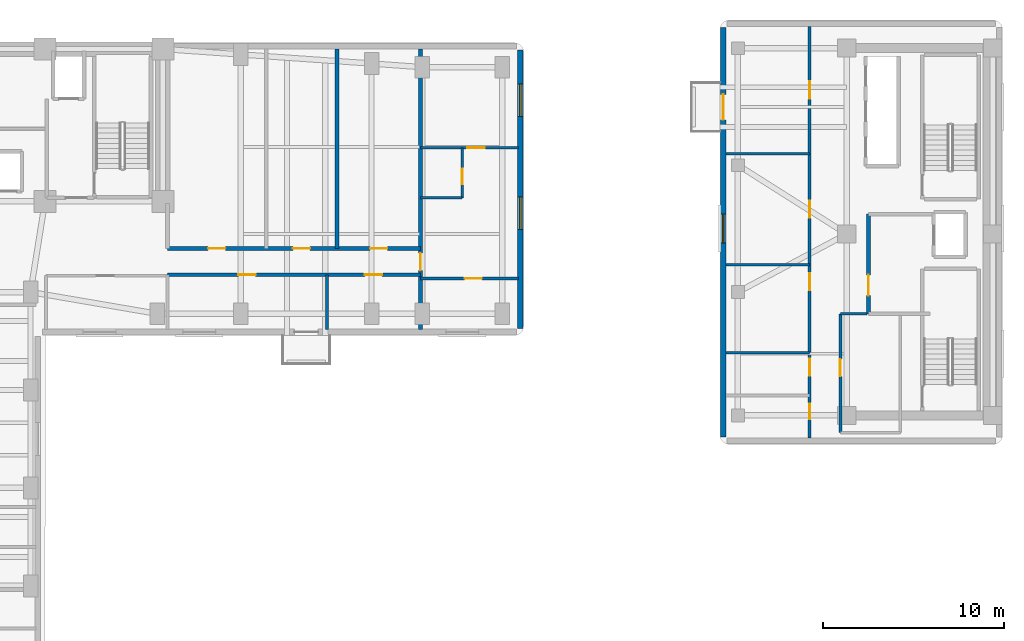
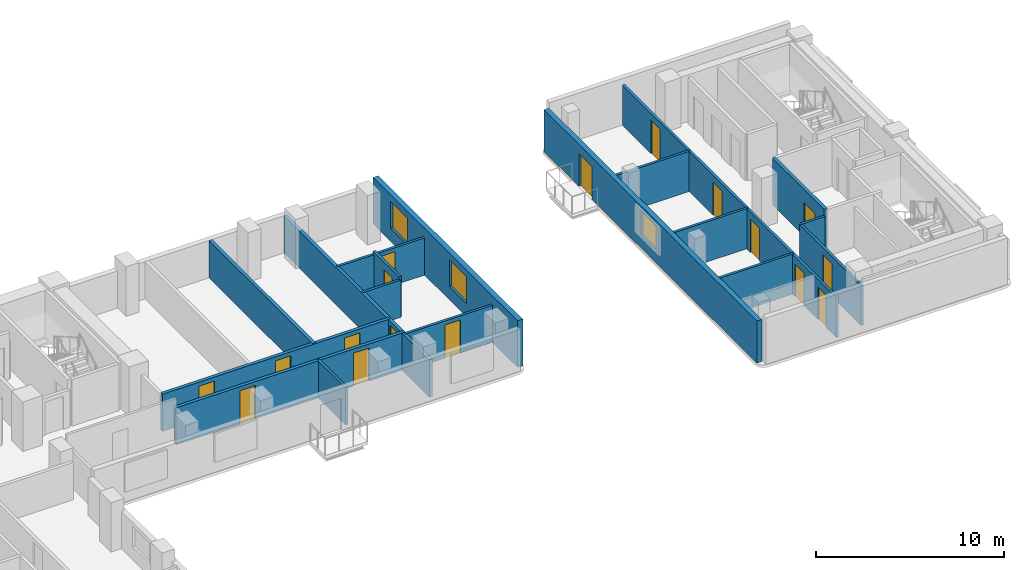
# One storey, part 5 of 9: 18 walls, 17 doors, 3 windows, 20 openings.
"""IFC4 building model written with IfcOpenShell, lengths in metres."""

import ifcopenshell
import ifcopenshell.guid

model = None  # the IFC model being written
_history = None  # IfcOwnerHistory: only IFC2X3 demands one
_inside = {}  # id of a spatial element -> (the spatial element, [elements in it])
_under = {}  # id of a project, library or spatial element -> (it, [spatial elements below it])
_declared = {}  # id of a project -> (the project, [libraries it declares])
_typed = {}  # id of a type object -> (the type object, [elements of that type])
_made_of = {}  # id of a material, layer set ... -> (it, [elements and type objects made of it])


def new_model(schema):
    """Start an empty IFC model of exactly this schema.

    Asked for "IFC4X3", IfcOpenShell would pick the latest addendum, in which some entities
    have other attributes; the version numbers below select the first issue.
    IFC2X3 requires an IfcOwnerHistory on every rooted entity: one is made here for all.
    """
    global model, _history
    if schema == "IFC4X3":
        model = ifcopenshell.file(schema_version=(4, 3, 0, 0))
    else:
        model = ifcopenshell.file(schema=schema)
    _inside.clear()
    _under.clear()
    _declared.clear()
    _typed.clear()
    _made_of.clear()
    _history = None
    if model.schema == "IFC2X3":
        org = make("IfcOrganization", Name="unknown")
        user = make(
            "IfcPersonAndOrganization",
            ThePerson=make("IfcPerson", FamilyName="unknown"),
            TheOrganization=org,
        )
        app = make(
            "IfcApplication",
            ApplicationDeveloper=org,
            Version="unknown",
            ApplicationFullName="unknown",
            ApplicationIdentifier="unknown",
        )
        _history = make(
            "IfcOwnerHistory",
            OwningUser=user,
            OwningApplication=app,
            ChangeAction="ADDED",
            CreationDate=0,
        )
    return model


def make(cls, **values):
    """One entity of the class cls with the attributes given. An attribute that is None is left unset."""
    return model.create_entity(
        cls, **{name: value for name, value in values.items() if value is not None}
    )


def rooted(cls, **values):
    """An entity with a GlobalId (a new one), such as an element, a storey or a relation."""
    return make(cls, GlobalId=ifcopenshell.guid.new(), OwnerHistory=_history, **values)


def si_unit(unit_type, name, prefix=None):
    """IfcSIUnit, for example si_unit("LENGTHUNIT", "METRE", prefix="MILLI")."""
    return make("IfcSIUnit", UnitType=unit_type, Prefix=prefix, Name=name)


def assignment(units):
    """IfcUnitAssignment: the units of a project."""
    return None if units is None else make("IfcUnitAssignment", Units=units)


def point(xyz):
    """IfcCartesianPoint."""
    return None if xyz is None else make("IfcCartesianPoint", Coordinates=xyz)


def direction(xyz):
    """IfcDirection."""
    return None if xyz is None else make("IfcDirection", DirectionRatios=xyz)


def frame(location, z_axis=None, x_axis=None):
    """IfcAxis2Placement3D, a coordinate frame: its origin and axes. An axis left out is left unset."""
    return make(
        "IfcAxis2Placement3D",
        Location=point(location),
        Axis=direction(z_axis),
        RefDirection=direction(x_axis),
    )


def frame_2d(location, x_axis=None):
    """IfcAxis2Placement2D, a coordinate frame in the plane: its origin and x axis."""
    return make(
        "IfcAxis2Placement2D", Location=point(location), RefDirection=direction(x_axis)
    )


def origin():
    """The frame at (0, 0, 0) with its axes left unset."""
    return frame((0.0, 0.0, 0.0))


def place(relative_to, where):
    """IfcLocalPlacement: puts the frame where relative to a parent placement (None: the world)."""
    return make(
        "IfcLocalPlacement", PlacementRelTo=relative_to, RelativePlacement=where
    )


def context(
    kind, dimensions, precision=None, world=None, true_north=None, identifier=None
):
    """IfcGeometricRepresentationContext, for example the 3D "Model" context."""
    return make(
        "IfcGeometricRepresentationContext",
        ContextIdentifier=identifier,
        ContextType=kind,
        CoordinateSpaceDimension=dimensions,
        Precision=precision,
        WorldCoordinateSystem=world,
        TrueNorth=true_north,
    )


def subcontext(parent, identifier, kind, view, scale=None):
    """IfcGeometricRepresentationSubContext, for example "Body" below "Model"."""
    return make(
        "IfcGeometricRepresentationSubContext",
        ContextIdentifier=identifier,
        ContextType=kind,
        ParentContext=parent,
        TargetScale=scale,
        TargetView=view,
    )


def project(units=None, contexts=None):
    """IfcProject with its units and contexts."""
    return rooted(
        "IfcProject",
        Name="project",
        RepresentationContexts=contexts,
        UnitsInContext=assignment(units),
    )


def spatial(cls, under=None, at=None, **own):
    """A site, building, storey or space (cls), placed at a placement, below another one or the project."""
    s = rooted(cls, ObjectPlacement=at, **own)
    if under is not None:
        _under.setdefault(under.id(), (under, []))[1].append(s)
    return s


def profile(cls, at=None, kind="AREA", **sizes):
    """A parametric profile (cls). Its sizes go by their IFC names, for example OverallWidth=200.0."""
    return make(cls, ProfileType=kind, Position=at, **sizes)


def rectangle(**sizes):
    """IfcRectangleProfileDef."""
    return profile("IfcRectangleProfileDef", **sizes)


def extrude(swept, where, along, depth):
    """IfcExtrudedAreaSolid: the profile swept, set in the frame where, extruded along a direction by depth."""
    return make(
        "IfcExtrudedAreaSolid",
        SweptArea=swept,
        Position=where,
        ExtrudedDirection=direction(along),
        Depth=depth,
    )


def shape(context_of_items, identifier, shape_type, items):
    """IfcShapeRepresentation: the items that make up one representation, for example the "Body"."""
    return make(
        "IfcShapeRepresentation",
        ContextOfItems=context_of_items,
        RepresentationIdentifier=identifier,
        RepresentationType=shape_type,
        Items=items,
    )


def material(Name=None, Category=None):
    """IfcMaterial."""
    return make("IfcMaterial", Name=Name, Category=Category)


def layer(
    of_material, thickness, ventilated=None, Name=None, Category=None, Priority=None
):
    """IfcMaterialLayer: one layer of a wall or slab, of a material (None: an air gap)."""
    return make(
        "IfcMaterialLayer",
        Material=of_material,
        LayerThickness=thickness,
        IsVentilated=ventilated,
        Name=Name,
        Category=Category,
        Priority=Priority,
    )


def layer_set(layers, Name=None):
    """IfcMaterialLayerSet."""
    return make("IfcMaterialLayerSet", MaterialLayers=layers, LayerSetName=Name)


def made_of(thing, what):
    """Note that an element or type object is made of a material, layer set ...; save() writes the relation."""
    if what is not None:
        _made_of.setdefault(what.id(), (what, []))[1].append(thing)
    return thing


def type_object(cls, material=None, **own):
    """A type object (cls), such as IfcWallType, which elements share."""
    return made_of(rooted(cls, **own), material)


def element(
    cls,
    number,
    at=None,
    inside=None,
    cuts=None,
    type_object=None,
    material=None,
    context=None,
    identifier="Body",
    shape_type=None,
    held_by="IfcProductDefinitionShape",
    body=None,
    shapes=None,
    **own,
):
    """One element of the class cls, such as IfcWall. Its Tag is "e" and its number.

    at: its placement. inside: the storey or other place that contains it. cuts: it is an
    opening in that element (IfcRelVoidsElement). A single representation is given by context,
    identifier, shape_type and body (its items); several are given by shapes. held_by: the class
    of the entity that holds the representations. save() writes the other relations.
    """
    e = rooted(cls, Tag="e%d" % number, ObjectPlacement=at, **own)
    if body is not None:
        shapes = [shape(context, identifier, shape_type, body)]
    if shapes is not None:
        e.Representation = make(held_by, Representations=shapes)
    if inside is not None:
        _inside.setdefault(inside.id(), (inside, []))[1].append(e)
    if cuts is not None:
        rooted(
            "IfcRelVoidsElement", RelatingBuildingElement=cuts, RelatedOpeningElement=e
        )
    if type_object is not None:
        _typed.setdefault(type_object.id(), (type_object, []))[1].append(e)
    return made_of(e, material)


def fill(opening, filler):
    """IfcRelFillsElement: the door or window that sits in an opening."""
    return rooted(
        "IfcRelFillsElement",
        RelatingOpeningElement=opening,
        RelatedBuildingElement=filler,
    )


def aggregate(whole, parts):
    """IfcRelAggregates: a whole, such as a stair, and the parts it consists of."""
    return rooted("IfcRelAggregates", RelatingObject=whole, RelatedObjects=parts)


def save(model, path):
    """Write the relations noted so far, then the file.

    IfcRelAggregates (storeys below a building ...), IfcRelContainedInSpatialStructure (elements
    in a storey), IfcRelDefinesByType, IfcRelAssociatesMaterial and IfcRelDeclares: one each for
    every whole, place, type object, material and project.
    """
    for whole, parts in _under.values():
        aggregate(whole, parts)
    for where, things in _inside.values():
        rooted(
            "IfcRelContainedInSpatialStructure",
            RelatedElements=things,
            RelatingStructure=where,
        )
    for kind, things in _typed.values():
        rooted("IfcRelDefinesByType", RelatedObjects=things, RelatingType=kind)
    for what, things in _made_of.values():
        rooted("IfcRelAssociatesMaterial", RelatedObjects=things, RelatingMaterial=what)
    for by, libraries in _declared.values():
        rooted("IfcRelDeclares", RelatingContext=by, RelatedDefinitions=libraries)
    model.write(path)


model = new_model("IFC4")

# Units and contexts
model_context = context("Model", 3, precision=1e-05, world=origin(), true_north=direction((0.0, 1.0)))
body_context = subcontext(model_context, "Body", "Model", "MODEL_VIEW")
ifc_project = project(units=[si_unit("LENGTHUNIT", "METRE"), si_unit("AREAUNIT", "SQUARE_METRE"), si_unit("VOLUMEUNIT", "CUBIC_METRE"), si_unit("PLANEANGLEUNIT", "RADIAN"), si_unit("MASSUNIT", "GRAM", prefix="KILO")], contexts=[model_context])

# Site, building, storey
site_placement = place(None, origin())
site = spatial("IfcSite", under=ifc_project, at=site_placement, CompositionType="ELEMENT")
building_placement = place(site_placement, origin())
building = spatial("IfcBuilding", under=site, at=building_placement, Name="Kuzgunbayir Cultural Tower", CompositionType="ELEMENT")
storey_placement = place(building_placement, frame((0.0, 0.0, 96.199951171875)))
storey = spatial("IfcBuildingStorey", under=building, at=storey_placement, Name="L27", CompositionType="ELEMENT", Elevation=96.199951171875)

# Wall, openings, door, window
ifc_material_1 = material(Name="Anatolian Cream Limestone", Category="masonry")
ifc_layer_1 = layer(ifc_material_1, 0.300048828125)
ifc_layer_set_1 = layer_set([ifc_layer_1], Name="Anatolian Cream Limestone")
wall_type_1 = type_object("IfcWallType", Name="WAL-EXT-STONE-300", PredefinedType="STANDARD", material=ifc_layer_set_1)
wall_1_placement = place(storey_placement, frame((57.800048828125, 43.39990234375, 0.0), z_axis=(0.0, 0.0, 1.0), x_axis=(0.0, -1.0, 0.0)))
wall_1 = element("IfcWall", 1, at=wall_1_placement, inside=storey, type_object=wall_type_1, Name="L27 Companion West Limestone Wall", PredefinedType="STANDARD", context=body_context, shape_type="SweptSolid", body=[
    extrude(rectangle(XDim=22.599853515625, YDim=0.300048828125, at=frame_2d((11.2998046875, 0.0))), origin(), (0.0, 0.0, 1.0), 2.719970703125),
])
opening_1_placement = place(wall_1_placement, frame((3.699951171875, 0.0, 0.0)))
opening_1 = element("IfcOpeningElement", 2, at=opening_1_placement, cuts=wall_1, Name="Opening BD-15", PredefinedType="OPENING", context=body_context, shape_type="SweptSolid", body=[
    extrude(rectangle(XDim=1.39990234375, YDim=2.10009765625, at=frame_2d((0.699951171875, 1.050048828125))), frame((0.0, 0.16015625, 0.0), z_axis=(0.0, -1.0, 0.0), x_axis=(1.0, 0.0, 0.0)), (0.0, 0.0, 1.0), 0.320068359375),
])
opening_2_placement = place(wall_1_placement, frame((10.300048828125, 0.0, 0.85009765625)))
opening_2 = element("IfcOpeningElement", 3, at=opening_2_placement, cuts=wall_1, Name="Opening WC-16", PredefinedType="OPENING", context=body_context, shape_type="SweptSolid", body=[
    extrude(rectangle(XDim=1.60009765625, YDim=1.570068359375, at=frame_2d((0.800048828125, 0.78515625))), frame((0.0, 0.16015625, 0.0), z_axis=(0.0, -1.0, 0.0), x_axis=(1.0, 0.0, 0.0)), (0.0, 0.0, 1.0), 0.320068359375),
])
ifc_material_2 = material(Name="Thermally Broken Glazed Aluminium", Category="aluminium")
door_type_1 = type_object("IfcDoorType", Name="DR-BALCONY-150", OperationType="SLIDING_TO_RIGHT", PredefinedType="DOOR", material=ifc_material_2)
door_1_placement = place(opening_1_placement, origin())
door_1 = element("IfcDoor", 4, at=door_1_placement, inside=storey, type_object=door_type_1, Name="L27 Companion Balcony Door BAL-L27-T2W3", OperationType="SLIDING_TO_RIGHT", OverallHeight=2.10009765625, OverallWidth=1.39990234375, PredefinedType="DOOR", context=body_context, shape_type="SweptSolid", body=[
    extrude(rectangle(XDim=1.39990234375, YDim=2.10009765625, at=frame_2d((0.699951171875, 1.050048828125))), frame((0.0, 0.02490234375, 0.0), z_axis=(0.0, -1.0, 0.0), x_axis=(1.0, 0.0, 0.0)), (0.0, 0.0, 1.0), 0.050048828125),
])
fill(opening_1, door_1)
ifc_material_3 = material(Name="Solar-Control Triple Glazing", Category="glass")
window_type_1 = type_object("IfcWindowType", Name="WIN-COMP-16", PartitioningType="SINGLE_PANEL", PredefinedType="WINDOW", material=ifc_material_3)
window_1_placement = place(opening_2_placement, origin())
window_1 = element("IfcWindow", 5, at=window_1_placement, inside=storey, type_object=window_type_1, Name="L27 Companion West Window 32", OverallHeight=1.570068359375, OverallWidth=1.60009765625, PartitioningType="SINGLE_PANEL", PredefinedType="WINDOW", context=body_context, shape_type="SweptSolid", body=[
    extrude(rectangle(XDim=1.60009765625, YDim=1.570068359375, at=frame_2d((0.800048828125, 0.78515625))), frame((0.0, 0.030029296875, 0.0), z_axis=(0.0, -1.0, 0.0), x_axis=(1.0, 0.0, 0.0)), (0.0, 0.0, 1.0), 0.06005859375),
])
fill(opening_2, window_1)

# Wall, openings, windows
ifc_material_4 = material(Name="Travertine Buff Ashlar", Category="masonry")
ifc_layer_2 = layer(ifc_material_4, 0.320068359375)
ifc_layer_set_2 = layer_set([ifc_layer_2], Name="Travertine Buff Ashlar")
wall_type_2 = type_object("IfcWallType", Name="WAL-EXT-STONE-320", PredefinedType="STANDARD", material=ifc_layer_set_2)
wall_2_placement = place(storey_placement, frame((46.60009765625, 26.800048828125, 0.0), z_axis=(0.0, 0.0, 1.0), x_axis=(0.0, 1.0, 0.0)))
wall_2 = element("IfcWall", 6, at=wall_2_placement, inside=storey, type_object=wall_type_2, Name="L27 Wing B East Limestone Wall", PredefinedType="STANDARD", context=body_context, shape_type="SweptSolid", body=[
    extrude(rectangle(XDim=15.349853515625, YDim=0.320068359375, at=frame_2d((7.6748046875, 0.0))), origin(), (0.0, 0.0, 1.0), 3.02001953125),
])
opening_3_placement = place(wall_2_placement, frame((5.449951171875, 0.0, 0.85009765625)))
opening_3 = element("IfcOpeningElement", 7, at=opening_3_placement, cuts=wall_2, Name="Opening WH-18", PredefinedType="OPENING", context=body_context, shape_type="SweptSolid", body=[
    extrude(rectangle(XDim=1.800048828125, YDim=1.75, at=frame_2d((0.89990234375, 0.875))), frame((0.0, 0.169921875, 0.0), z_axis=(0.0, -1.0, 0.0), x_axis=(1.0, 0.0, 0.0)), (0.0, 0.0, 1.0), 0.340087890625),
])
opening_4_placement = place(wall_2_placement, frame((11.679931640625, 0.0, 0.85009765625)))
opening_4 = element("IfcOpeningElement", 8, at=opening_4_placement, cuts=wall_2, Name="Opening WH-18", PredefinedType="OPENING", context=body_context, shape_type="SweptSolid", body=[
    extrude(rectangle(XDim=1.800048828125, YDim=1.75, at=frame_2d((0.89990234375, 0.875))), frame((0.0, 0.169921875, 0.0), z_axis=(0.0, -1.0, 0.0), x_axis=(1.0, 0.0, 0.0)), (0.0, 0.0, 1.0), 0.340087890625),
])
window_type_2 = type_object("IfcWindowType", Name="WIN-HOTEL-18", PartitioningType="SINGLE_PANEL", PredefinedType="WINDOW", material=ifc_material_3)
window_2_placement = place(opening_3_placement, origin())
window_2 = element("IfcWindow", 9, at=window_2_placement, inside=storey, type_object=window_type_2, Name="L27 WBE Facade Window 4", OverallHeight=1.75, OverallWidth=1.800048828125, PartitioningType="SINGLE_PANEL", PredefinedType="WINDOW", context=body_context, shape_type="SweptSolid", body=[
    extrude(rectangle(XDim=1.800048828125, YDim=1.75, at=frame_2d((0.89990234375, 0.875))), frame((0.0, 0.030029296875, 0.0), z_axis=(0.0, -1.0, 0.0), x_axis=(1.0, 0.0, 0.0)), (0.0, 0.0, 1.0), 0.06005859375),
])
fill(opening_3, window_2)
window_3_placement = place(opening_4_placement, origin())
window_3 = element("IfcWindow", 10, at=window_3_placement, inside=storey, type_object=window_type_2, Name="L27 WBE Facade Window 5", OverallHeight=1.75, OverallWidth=1.800048828125, PartitioningType="SINGLE_PANEL", PredefinedType="WINDOW", context=body_context, shape_type="SweptSolid", body=[
    extrude(rectangle(XDim=1.800048828125, YDim=1.75, at=frame_2d((0.89990234375, 0.875))), frame((0.0, 0.030029296875, 0.0), z_axis=(0.0, -1.0, 0.0), x_axis=(1.0, 0.0, 0.0)), (0.0, 0.0, 1.0), 0.06005859375),
])
fill(opening_4, window_3)

# Wall, opening, door
ifc_material_5 = material(Name="Acoustic Double-Stud Drywall", Category="gypsum")
ifc_layer_3 = layer(ifc_material_5, 0.14990234375)
ifc_layer_set_3 = layer_set([ifc_layer_3], Name="Acoustic Double-Stud Drywall")
wall_type_3 = type_object("IfcWallType", Name="WAL-PART-ACOUSTIC-150", PredefinedType="PARTITIONING", material=ifc_layer_set_3)
wall_3_placement = place(storey_placement, frame((41.10009765625, 36.75, 0.0), z_axis=(0.0, 0.0, 1.0), x_axis=(1.0, 0.0, 0.0)))
wall_3 = element("IfcWall", 11, at=wall_3_placement, inside=storey, type_object=wall_type_3, Name="L27 Corner Suite Bedroom Wall", PredefinedType="PARTITIONING", context=body_context, shape_type="SweptSolid", body=[
    extrude(rectangle(XDim=5.39990234375, YDim=0.14990234375, at=frame_2d((2.699951171875, 0.0))), origin(), (0.0, 0.0, 1.0), 2.41015625),
])
opening_5_placement = place(wall_3_placement, frame((2.590087890625, 0.0, 0.0)))
opening_5 = element("IfcOpeningElement", 12, at=opening_5_placement, cuts=wall_3, Name="Opening DI-90", PredefinedType="OPENING", context=body_context, shape_type="SweptSolid", body=[
    extrude(rectangle(XDim=0.949951171875, YDim=2.14990234375, at=frame_2d((0.47509765625, 1.074951171875))), frame((0.0, 0.0849609375, 0.0), z_axis=(0.0, -1.0, 0.0), x_axis=(1.0, 0.0, 0.0)), (0.0, 0.0, 1.0), 0.169921875),
])
ifc_material_6 = material(Name="Veneered Oak Single Leaf", Category="wood")
door_type_2 = type_object("IfcDoorType", Name="DR-INT-90", OperationType="NOTDEFINED", PredefinedType="DOOR", material=ifc_material_6)
door_2_placement = place(opening_5_placement, origin())
door_2 = element("IfcDoor", 13, at=door_2_placement, inside=storey, type_object=door_type_2, Name="L27 Corner Bedroom Door", OperationType="SINGLE_SWING_RIGHT", OverallHeight=2.14990234375, OverallWidth=0.949951171875, PredefinedType="DOOR", context=body_context, shape_type="SweptSolid", body=[
    extrude(rectangle(XDim=0.949951171875, YDim=2.14990234375, at=frame_2d((0.47509765625, 1.074951171875))), frame((0.0, 0.02490234375, 0.0), z_axis=(0.0, -1.0, 0.0), x_axis=(1.0, 0.0, 0.0)), (0.0, 0.0, 1.0), 0.050048828125),
])
fill(opening_5, door_2)

# Wall
wall_4_placement = place(storey_placement, frame((35.93994140625, 26.75, 0.0), z_axis=(0.0, 0.0, 1.0), x_axis=(0.0, 1.0, 0.0)))
element("IfcWall", 14, at=wall_4_placement, inside=storey, type_object=wall_type_3, Name="L27 Wing B South Divider 1", PredefinedType="PARTITIONING", context=body_context, shape_type="SweptSolid", body=[
    extrude(rectangle(XDim=3.0, YDim=0.14990234375, at=frame_2d((1.5, 0.0))), origin(), (0.0, 0.0, 1.0), 2.41015625),
])

# Wall, opening, door
wall_5_placement = place(storey_placement, frame((64.25, 21.050048828125, 0.0), z_axis=(0.0, 0.0, 1.0), x_axis=(0.0, 1.0, 0.0)))
wall_5 = element("IfcWall", 15, at=wall_5_placement, inside=storey, type_object=wall_type_3, Name="L27 Companion Archive West Wall", PredefinedType="PARTITIONING", context=body_context, shape_type="SweptSolid", body=[
    extrude(rectangle(XDim=6.550048828125, YDim=0.14990234375, at=frame_2d((3.27490234375, 0.0))), origin(), (0.0, 0.0, 1.0), 2.60009765625),
])
opening_6_placement = place(wall_5_placement, frame((3.10009765625, 0.0, 0.0)))
opening_6 = element("IfcOpeningElement", 16, at=opening_6_placement, cuts=wall_5, Name="Opening DI-90", PredefinedType="OPENING", context=body_context, shape_type="SweptSolid", body=[
    extrude(rectangle(XDim=0.949951171875, YDim=2.14990234375, at=frame_2d((0.47509765625, 1.074951171875))), frame((0.0, 0.0849609375, 0.0), z_axis=(0.0, -1.0, 0.0), x_axis=(1.0, 0.0, 0.0)), (0.0, 0.0, 1.0), 0.169921875),
])
door_3_placement = place(opening_6_placement, origin())
door_3 = element("IfcDoor", 17, at=door_3_placement, inside=storey, type_object=door_type_2, Name="L27 Companion Archive Door", OperationType="SINGLE_SWING_RIGHT", OverallHeight=2.14990234375, OverallWidth=0.949951171875, PredefinedType="DOOR", context=body_context, shape_type="SweptSolid", body=[
    extrude(rectangle(XDim=0.949951171875, YDim=2.14990234375, at=frame_2d((0.47509765625, 1.074951171875))), frame((0.0, 0.02490234375, 0.0), z_axis=(0.0, -1.0, 0.0), x_axis=(1.0, 0.0, 0.0)), (0.0, 0.0, 1.0), 0.050048828125),
])
fill(opening_6, door_3)

# Wall
wall_6_placement = place(storey_placement, frame((64.25, 27.60009765625, 0.0), z_axis=(0.0, 0.0, 1.0), x_axis=(1.0, 0.0, 0.0)))
element("IfcWall", 18, at=wall_6_placement, inside=storey, type_object=wall_type_3, Name="L27 Companion Archive North Wall", PredefinedType="PARTITIONING", context=body_context, shape_type="SweptSolid", body=[
    extrude(rectangle(XDim=1.469970703125, YDim=0.14990234375, at=frame_2d((0.73486328125, 0.0))), origin(), (0.0, 0.0, 1.0), 2.60009765625),
])

# Wall, openings, doors
wall_7_placement = place(storey_placement, frame((62.550048828125, 20.75, 0.0), z_axis=(0.0, 0.0, 1.0), x_axis=(0.0, 1.0, 0.0)))
wall_7 = element("IfcWall", 19, at=wall_7_placement, inside=storey, type_object=wall_type_3, Name="L27 Companion Corridor West Wall", PredefinedType="PARTITIONING", context=body_context, shape_type="SweptSolid", body=[
    extrude(rectangle(XDim=22.699951171875, YDim=0.14990234375, at=frame_2d((11.35009765625, 0.0))), origin(), (0.0, 0.0, 1.0), 2.60009765625),
])
opening_7_placement = place(wall_7_placement, frame((1.050048828125, 0.0, 0.0)))
opening_7 = element("IfcOpeningElement", 20, at=opening_7_placement, cuts=wall_7, Name="Opening DW-85", PredefinedType="OPENING", context=body_context, shape_type="SweptSolid", body=[
    extrude(rectangle(XDim=0.85009765625, YDim=2.10009765625, at=frame_2d((0.425048828125, 1.050048828125))), frame((0.0, 0.0849609375, 0.0), z_axis=(0.0, -1.0, 0.0), x_axis=(1.0, 0.0, 0.0)), (0.0, 0.0, 1.0), 0.169921875),
])
opening_8_placement = place(wall_7_placement, frame((3.429931640625, 0.0, 0.0)))
opening_8 = element("IfcOpeningElement", 21, at=opening_8_placement, cuts=wall_7, Name="Opening DW-95", PredefinedType="OPENING", context=body_context, shape_type="SweptSolid", body=[
    extrude(rectangle(XDim=0.949951171875, YDim=2.10009765625, at=frame_2d((0.47509765625, 1.050048828125))), frame((0.0, 0.0849609375, 0.0), z_axis=(0.0, -1.0, 0.0), x_axis=(1.0, 0.0, 0.0)), (0.0, 0.0, 1.0), 0.169921875),
])
opening_9_placement = place(wall_7_placement, frame((8.14990234375, 0.0, 0.0)))
opening_9 = element("IfcOpeningElement", 22, at=opening_9_placement, cuts=wall_7, Name="Opening DI-90", PredefinedType="OPENING", context=body_context, shape_type="SweptSolid", body=[
    extrude(rectangle(XDim=0.949951171875, YDim=2.14990234375, at=frame_2d((0.47509765625, 1.074951171875))), frame((0.0, 0.0849609375, 0.0), z_axis=(0.0, -1.0, 0.0), x_axis=(1.0, 0.0, 0.0)), (0.0, 0.0, 1.0), 0.169921875),
])
opening_10_placement = place(wall_7_placement, frame((12.139892578125, 0.0, 0.0)))
opening_10 = element("IfcOpeningElement", 23, at=opening_10_placement, cuts=wall_7, Name="Opening DI-90", PredefinedType="OPENING", context=body_context, shape_type="SweptSolid", body=[
    extrude(rectangle(XDim=0.949951171875, YDim=2.14990234375, at=frame_2d((0.47509765625, 1.074951171875))), frame((0.0, 0.0849609375, 0.0), z_axis=(0.0, -1.0, 0.0), x_axis=(1.0, 0.0, 0.0)), (0.0, 0.0, 1.0), 0.169921875),
])
opening_11_placement = place(wall_7_placement, frame((18.7099609375, 0.0, 0.0)))
opening_11 = element("IfcOpeningElement", 24, at=opening_11_placement, cuts=wall_7, Name="Opening DI-90", PredefinedType="OPENING", context=body_context, shape_type="SweptSolid", body=[
    extrude(rectangle(XDim=0.949951171875, YDim=2.14990234375, at=frame_2d((0.47509765625, 1.074951171875))), frame((0.0, 0.0849609375, 0.0), z_axis=(0.0, -1.0, 0.0), x_axis=(1.0, 0.0, 0.0)), (0.0, 0.0, 1.0), 0.169921875),
])
door_4_placement = place(opening_9_placement, origin())
door_4 = element("IfcDoor", 25, at=door_4_placement, inside=storey, type_object=door_type_2, Name="L27 Companion Art Publication Salon 1 Door", OperationType="SINGLE_SWING_LEFT", OverallHeight=2.14990234375, OverallWidth=0.949951171875, PredefinedType="DOOR", context=body_context, shape_type="SweptSolid", body=[
    extrude(rectangle(XDim=0.949951171875, YDim=2.14990234375, at=frame_2d((0.47509765625, 1.074951171875))), frame((0.0, 0.02490234375, 0.0), z_axis=(0.0, -1.0, 0.0), x_axis=(1.0, 0.0, 0.0)), (0.0, 0.0, 1.0), 0.050048828125),
])
fill(opening_9, door_4)
door_5_placement = place(opening_10_placement, origin())
door_5 = element("IfcDoor", 26, at=door_5_placement, inside=storey, type_object=door_type_2, Name="L27 Companion Curatorial Office 2 Door", OperationType="SINGLE_SWING_RIGHT", OverallHeight=2.14990234375, OverallWidth=0.949951171875, PredefinedType="DOOR", context=body_context, shape_type="SweptSolid", body=[
    extrude(rectangle(XDim=0.949951171875, YDim=2.14990234375, at=frame_2d((0.47509765625, 1.074951171875))), frame((0.0, 0.02490234375, 0.0), z_axis=(0.0, -1.0, 0.0), x_axis=(1.0, 0.0, 0.0)), (0.0, 0.0, 1.0), 0.050048828125),
])
fill(opening_10, door_5)
door_6_placement = place(opening_11_placement, origin())
door_6 = element("IfcDoor", 27, at=door_6_placement, inside=storey, type_object=door_type_2, Name="L27 Companion Seminar Boardroom 3 Door", OperationType="SINGLE_SWING_LEFT", OverallHeight=2.14990234375, OverallWidth=0.949951171875, PredefinedType="DOOR", context=body_context, shape_type="SweptSolid", body=[
    extrude(rectangle(XDim=0.949951171875, YDim=2.14990234375, at=frame_2d((0.47509765625, 1.074951171875))), frame((0.0, 0.02490234375, 0.0), z_axis=(0.0, -1.0, 0.0), x_axis=(1.0, 0.0, 0.0)), (0.0, 0.0, 1.0), 0.050048828125),
])
fill(opening_11, door_6)
ifc_material_7 = material(Name="Laminate Moisture-Resistant Leaf", Category="wood")
door_type_3 = type_object("IfcDoorType", Name="DR-WET-85", OperationType="NOTDEFINED", PredefinedType="DOOR", material=ifc_material_7)
door_7_placement = place(opening_7_placement, origin())
door_7 = element("IfcDoor", 28, at=door_7_placement, inside=storey, type_object=door_type_3, Name="L27 Companion WC Door", OperationType="SINGLE_SWING_LEFT", OverallHeight=2.10009765625, OverallWidth=0.85009765625, PredefinedType="DOOR", context=body_context, shape_type="SweptSolid", body=[
    extrude(rectangle(XDim=0.85009765625, YDim=2.10009765625, at=frame_2d((0.425048828125, 1.050048828125))), frame((0.0, 0.02490234375, 0.0), z_axis=(0.0, -1.0, 0.0), x_axis=(1.0, 0.0, 0.0)), (0.0, 0.0, 1.0), 0.050048828125),
])
fill(opening_7, door_7)
door_type_4 = type_object("IfcDoorType", Name="DR-WET-95", OperationType="NOTDEFINED", PredefinedType="DOOR", material=ifc_material_7)
door_8_placement = place(opening_8_placement, origin())
door_8 = element("IfcDoor", 29, at=door_8_placement, inside=storey, type_object=door_type_4, Name="L27 Companion Accessible WC Door", OperationType="SINGLE_SWING_RIGHT", OverallHeight=2.10009765625, OverallWidth=0.949951171875, PredefinedType="DOOR", context=body_context, shape_type="SweptSolid", body=[
    extrude(rectangle(XDim=0.949951171875, YDim=2.10009765625, at=frame_2d((0.47509765625, 1.050048828125))), frame((0.0, 0.02490234375, 0.0), z_axis=(0.0, -1.0, 0.0), x_axis=(1.0, 0.0, 0.0)), (0.0, 0.0, 1.0), 0.050048828125),
])
fill(opening_8, door_8)

# Walls
for number, where, z_axis, x_axis, name in (
    (30, (57.949951171875, 30.31005859375, 0.0), (0.0, 0.0, 1.0), (1.0, 0.0, 0.0), "L27 Companion Studio Partition 1"),
    (31, (57.949951171875, 36.429931640625, 0.0), (0.0, 0.0, 1.0), (1.0, 0.0, 0.0), "L27 Companion Studio Partition 2"),
):
    element("IfcWall", number, at=place(storey_placement, frame(where, z_axis=z_axis, x_axis=x_axis)), inside=storey, type_object=wall_type_3, Name=name, PredefinedType="PARTITIONING", context=body_context, shape_type="SweptSolid", body=[
        extrude(rectangle(XDim=4.60009765625, YDim=0.14990234375, at=frame_2d((2.300048828125, 0.0))), origin(), (0.0, 0.0, 1.0), 2.60009765625),
    ])

# Wall, opening, door
ifc_material_8 = material(Name="Aerated Concrete Blockwork", Category="masonry")
ifc_layer_4 = layer(ifc_material_8, 0.199951171875)
ifc_layer_set_4 = layer_set([ifc_layer_4], Name="Aerated Concrete Blockwork")
wall_type_4 = type_object("IfcWallType", Name="WAL-PART-FIRE-200", PredefinedType="PARTITIONING", material=ifc_layer_set_4)
wall_8_placement = place(storey_placement, frame((65.800048828125, 27.60009765625, 0.0), z_axis=(0.0, 0.0, 1.0), x_axis=(0.0, 1.0, 0.0)))
wall_8 = element("IfcWall", 32, at=wall_8_placement, inside=storey, type_object=wall_type_4, Name="L27 FFL-3 Lobby West Fire Wall", PredefinedType="PARTITIONING", context=body_context, shape_type="SweptSolid", body=[
    extrude(rectangle(XDim=5.5, YDim=0.199951171875, at=frame_2d((2.75, 0.0))), origin(), (0.0, 0.0, 1.0), 3.02001953125),
])
opening_12_placement = place(wall_8_placement, frame((1.0, 0.0, 0.0)))
opening_12 = element("IfcOpeningElement", 33, at=opening_12_placement, cuts=wall_8, Name="Opening DR-FFL-90", PredefinedType="OPENING", context=body_context, shape_type="SweptSolid", body=[
    extrude(rectangle(XDim=1.14990234375, YDim=2.14990234375, at=frame_2d((0.574951171875, 1.074951171875))), frame((0.0, 0.10986328125, 0.0), z_axis=(0.0, -1.0, 0.0), x_axis=(1.0, 0.0, 0.0)), (0.0, 0.0, 1.0), 0.219970703125),
])
ifc_material_9 = material(Name="Steel S355J2", Category="steel")
door_type_5 = type_object("IfcDoorType", Name="DR-FFL-90", OperationType="NOTDEFINED", PredefinedType="DOOR", material=ifc_material_9)
door_9_placement = place(opening_12_placement, origin())
door_9 = element("IfcDoor", 34, at=door_9_placement, inside=storey, type_object=door_type_5, Name="L27 Firefighting Lobby 3 Door", OperationType="SINGLE_SWING_RIGHT", OverallHeight=2.14990234375, OverallWidth=1.14990234375, PredefinedType="DOOR", context=body_context, shape_type="SweptSolid", body=[
    extrude(rectangle(XDim=1.14990234375, YDim=2.14990234375, at=frame_2d((0.574951171875, 1.074951171875))), frame((0.0, 0.02490234375, 0.0), z_axis=(0.0, -1.0, 0.0), x_axis=(1.0, 0.0, 0.0)), (0.0, 0.0, 1.0), 0.050048828125),
])
fill(opening_12, door_9)

# Wall, openings, doors
wall_9_placement = place(storey_placement, frame((27.14990234375, 29.75, 0.0), z_axis=(0.0, 0.0, 1.0), x_axis=(1.0, 0.0, 0.0)))
wall_9 = element("IfcWall", 35, at=wall_9_placement, inside=storey, type_object=wall_type_4, Name="L27 Wing B Hotel Corridor South Wall", PredefinedType="PARTITIONING", context=body_context, shape_type="SweptSolid", body=[
    extrude(rectangle(XDim=13.9501953125, YDim=0.199951171875, at=frame_2d((6.97509765625, 0.0))), origin(), (0.0, 0.0, 1.0), 2.41015625),
])
opening_13_placement = place(wall_9_placement, frame((3.909912109375, 0.0, 0.0)))
opening_13 = element("IfcOpeningElement", 36, at=opening_13_placement, cuts=wall_9, Name="Opening DI-90", PredefinedType="OPENING", context=body_context, shape_type="SweptSolid", body=[
    extrude(rectangle(XDim=0.949951171875, YDim=2.14990234375, at=frame_2d((0.47509765625, 1.074951171875))), frame((0.0, 0.10986328125, 0.0), z_axis=(0.0, -1.0, 0.0), x_axis=(1.0, 0.0, 0.0)), (0.0, 0.0, 1.0), 0.219970703125),
])
opening_14_placement = place(wall_9_placement, frame((10.889892578125, 0.0, 0.0)))
opening_14 = element("IfcOpeningElement", 37, at=opening_14_placement, cuts=wall_9, Name="Opening DI-90", PredefinedType="OPENING", context=body_context, shape_type="SweptSolid", body=[
    extrude(rectangle(XDim=0.949951171875, YDim=2.14990234375, at=frame_2d((0.47509765625, 1.074951171875))), frame((0.0, 0.10986328125, 0.0), z_axis=(0.0, -1.0, 0.0), x_axis=(1.0, 0.0, 0.0)), (0.0, 0.0, 1.0), 0.219970703125),
])
door_10_placement = place(opening_13_placement, origin())
door_10 = element("IfcDoor", 38, at=door_10_placement, inside=storey, type_object=door_type_2, Name="L27 Art Publication Salon B1 Door", OperationType="SINGLE_SWING_LEFT", OverallHeight=2.14990234375, OverallWidth=0.949951171875, PredefinedType="DOOR", context=body_context, shape_type="SweptSolid", body=[
    extrude(rectangle(XDim=0.949951171875, YDim=2.14990234375, at=frame_2d((0.47509765625, 1.074951171875))), frame((0.0, 0.02490234375, 0.0), z_axis=(0.0, -1.0, 0.0), x_axis=(1.0, 0.0, 0.0)), (0.0, 0.0, 1.0), 0.050048828125),
])
fill(opening_13, door_10)
door_11_placement = place(opening_14_placement, origin())
door_11 = element("IfcDoor", 39, at=door_11_placement, inside=storey, type_object=door_type_2, Name="L27 Art Publication Salon B2 Door", OperationType="SINGLE_SWING_RIGHT", OverallHeight=2.14990234375, OverallWidth=0.949951171875, PredefinedType="DOOR", context=body_context, shape_type="SweptSolid", body=[
    extrude(rectangle(XDim=0.949951171875, YDim=2.14990234375, at=frame_2d((0.47509765625, 1.074951171875))), frame((0.0, 0.02490234375, 0.0), z_axis=(0.0, -1.0, 0.0), x_axis=(1.0, 0.0, 0.0)), (0.0, 0.0, 1.0), 0.050048828125),
])
fill(opening_14, door_11)

wall_10_placement = place(storey_placement, frame((27.14990234375, 31.199951171875, 0.0), z_axis=(0.0, 0.0, 1.0), x_axis=(1.0, 0.0, 0.0)))
wall_10 = element("IfcWall", 40, at=wall_10_placement, inside=storey, type_object=wall_type_4, Name="L27 Wing B Hotel Corridor North Wall", PredefinedType="PARTITIONING", context=body_context, shape_type="SweptSolid", body=[
    extrude(rectangle(XDim=13.9501953125, YDim=0.199951171875, at=frame_2d((6.97509765625, 0.0))), origin(), (0.0, 0.0, 1.0), 2.41015625),
])
opening_15_placement = place(wall_10_placement, frame((2.239990234375, 0.0, 0.0)))
opening_15 = element("IfcOpeningElement", 41, at=opening_15_placement, cuts=wall_10, Name="Opening DI-90", PredefinedType="OPENING", context=body_context, shape_type="SweptSolid", body=[
    extrude(rectangle(XDim=0.949951171875, YDim=2.14990234375, at=frame_2d((0.47509765625, 1.074951171875))), frame((0.0, 0.10986328125, 0.0), z_axis=(0.0, -1.0, 0.0), x_axis=(1.0, 0.0, 0.0)), (0.0, 0.0, 1.0), 0.219970703125),
])
opening_16_placement = place(wall_10_placement, frame((6.919921875, 0.0, 0.0)))
opening_16 = element("IfcOpeningElement", 42, at=opening_16_placement, cuts=wall_10, Name="Opening DI-90", PredefinedType="OPENING", context=body_context, shape_type="SweptSolid", body=[
    extrude(rectangle(XDim=0.949951171875, YDim=2.14990234375, at=frame_2d((0.47509765625, 1.074951171875))), frame((0.0, 0.10986328125, 0.0), z_axis=(0.0, -1.0, 0.0), x_axis=(1.0, 0.0, 0.0)), (0.0, 0.0, 1.0), 0.219970703125),
])
opening_17_placement = place(wall_10_placement, frame((11.169921875, 0.0, 0.0)))
opening_17 = element("IfcOpeningElement", 43, at=opening_17_placement, cuts=wall_10, Name="Opening DI-90", PredefinedType="OPENING", context=body_context, shape_type="SweptSolid", body=[
    extrude(rectangle(XDim=0.949951171875, YDim=2.14990234375, at=frame_2d((0.47509765625, 1.074951171875))), frame((0.0, 0.10986328125, 0.0), z_axis=(0.0, -1.0, 0.0), x_axis=(1.0, 0.0, 0.0)), (0.0, 0.0, 1.0), 0.219970703125),
])
door_12_placement = place(opening_15_placement, origin())
door_12 = element("IfcDoor", 44, at=door_12_placement, inside=storey, type_object=door_type_2, Name="L27 North Art Publication Salon 1 Door", OperationType="SINGLE_SWING_LEFT", OverallHeight=2.14990234375, OverallWidth=0.949951171875, PredefinedType="DOOR", context=body_context, shape_type="SweptSolid", body=[
    extrude(rectangle(XDim=0.949951171875, YDim=2.14990234375, at=frame_2d((0.47509765625, 1.074951171875))), frame((0.0, 0.02490234375, 0.0), z_axis=(0.0, -1.0, 0.0), x_axis=(1.0, 0.0, 0.0)), (0.0, 0.0, 1.0), 0.050048828125),
])
fill(opening_15, door_12)
door_13_placement = place(opening_16_placement, origin())
door_13 = element("IfcDoor", 45, at=door_13_placement, inside=storey, type_object=door_type_2, Name="L27 North Curatorial Office 2 Door", OperationType="SINGLE_SWING_RIGHT", OverallHeight=2.14990234375, OverallWidth=0.949951171875, PredefinedType="DOOR", context=body_context, shape_type="SweptSolid", body=[
    extrude(rectangle(XDim=0.949951171875, YDim=2.14990234375, at=frame_2d((0.47509765625, 1.074951171875))), frame((0.0, 0.02490234375, 0.0), z_axis=(0.0, -1.0, 0.0), x_axis=(1.0, 0.0, 0.0)), (0.0, 0.0, 1.0), 0.050048828125),
])
fill(opening_16, door_13)
door_14_placement = place(opening_17_placement, origin())
door_14 = element("IfcDoor", 46, at=door_14_placement, inside=storey, type_object=door_type_2, Name="L27 North Seminar Boardroom 3 Door", OperationType="SINGLE_SWING_LEFT", OverallHeight=2.14990234375, OverallWidth=0.949951171875, PredefinedType="DOOR", context=body_context, shape_type="SweptSolid", body=[
    extrude(rectangle(XDim=0.949951171875, YDim=2.14990234375, at=frame_2d((0.47509765625, 1.074951171875))), frame((0.0, 0.02490234375, 0.0), z_axis=(0.0, -1.0, 0.0), x_axis=(1.0, 0.0, 0.0)), (0.0, 0.0, 1.0), 0.050048828125),
])
fill(opening_17, door_14)

# Wall, opening, door
wall_11_placement = place(storey_placement, frame((41.10009765625, 26.75, 0.0), z_axis=(0.0, 0.0, 1.0), x_axis=(0.0, 1.0, 0.0)))
wall_11 = element("IfcWall", 47, at=wall_11_placement, inside=storey, type_object=wall_type_4, Name="L27 Wing B East Suite Wall", PredefinedType="PARTITIONING", context=body_context, shape_type="SweptSolid", body=[
    extrude(rectangle(XDim=15.449951171875, YDim=0.199951171875, at=frame_2d((7.72509765625, 0.0))), origin(), (0.0, 0.0, 1.0), 2.41015625),
])
opening_18_placement = place(wall_11_placement, frame((3.25, 0.0, 0.0)))
opening_18 = element("IfcOpeningElement", 48, at=opening_18_placement, cuts=wall_11, Name="Opening DR-APT-60", PredefinedType="OPENING", context=body_context, shape_type="SweptSolid", body=[
    extrude(rectangle(XDim=0.949951171875, YDim=2.14990234375, at=frame_2d((0.47509765625, 1.074951171875))), frame((0.0, 0.10986328125, 0.0), z_axis=(0.0, -1.0, 0.0), x_axis=(1.0, 0.0, 0.0)), (0.0, 0.0, 1.0), 0.219970703125),
])
ifc_material_10 = material(Name="Acoustic Fire Timber Leaf", Category="wood")
door_type_6 = type_object("IfcDoorType", Name="DR-APT-60", OperationType="NOTDEFINED", PredefinedType="DOOR", material=ifc_material_10)
door_15_placement = place(opening_18_placement, origin())
door_15 = element("IfcDoor", 49, at=door_15_placement, inside=storey, type_object=door_type_6, Name="L27 Corner Suite Entrance", OperationType="SINGLE_SWING_LEFT", OverallHeight=2.14990234375, OverallWidth=0.949951171875, PredefinedType="DOOR", context=body_context, shape_type="SweptSolid", body=[
    extrude(rectangle(XDim=0.949951171875, YDim=2.14990234375, at=frame_2d((0.47509765625, 1.074951171875))), frame((0.0, 0.02490234375, 0.0), z_axis=(0.0, -1.0, 0.0), x_axis=(1.0, 0.0, 0.0)), (0.0, 0.0, 1.0), 0.050048828125),
])
fill(opening_18, door_15)

# Wall
wall_12_placement = place(storey_placement, frame((36.5, 31.199951171875, 0.0), z_axis=(0.0, 0.0, 1.0), x_axis=(0.0, 1.0, 0.0)))
element("IfcWall", 50, at=wall_12_placement, inside=storey, type_object=wall_type_4, Name="L27 Wing B North Party Wall 2", PredefinedType="PARTITIONING", context=body_context, shape_type="SweptSolid", body=[
    extrude(rectangle(XDim=11.0, YDim=0.199951171875, at=frame_2d((5.5, 0.0))), origin(), (0.0, 0.0, 1.0), 2.41015625),
])

# Wall, opening, door
ifc_material_11 = material(Name="Moisture-Resistant Tile Partition", Category="gypsum")
ifc_layer_5 = layer(ifc_material_11, 0.14990234375)
ifc_layer_set_5 = layer_set([ifc_layer_5], Name="Moisture-Resistant Tile Partition")
wall_type_5 = type_object("IfcWallType", Name="WAL-PART-WET-150", PredefinedType="PARTITIONING", material=ifc_layer_set_5)
wall_13_placement = place(storey_placement, frame((41.10009765625, 29.550048828125, 0.0), z_axis=(0.0, 0.0, 1.0), x_axis=(1.0, 0.0, 0.0)))
wall_13 = element("IfcWall", 51, at=wall_13_placement, inside=storey, type_object=wall_type_5, Name="L27 Corner Suite Kitchen Wall", PredefinedType="PARTITIONING", context=body_context, shape_type="SweptSolid", body=[
    extrude(rectangle(XDim=5.39990234375, YDim=0.14990234375, at=frame_2d((2.699951171875, 0.0))), origin(), (0.0, 0.0, 1.0), 2.41015625),
])
opening_19_placement = place(wall_13_placement, frame((2.429931640625, 0.0, 0.0)))
opening_19 = element("IfcOpeningElement", 52, at=opening_19_placement, cuts=wall_13, Name="Opening DI-90", PredefinedType="OPENING", context=body_context, shape_type="SweptSolid", body=[
    extrude(rectangle(XDim=0.949951171875, YDim=2.14990234375, at=frame_2d((0.47509765625, 1.074951171875))), frame((0.0, 0.0849609375, 0.0), z_axis=(0.0, -1.0, 0.0), x_axis=(1.0, 0.0, 0.0)), (0.0, 0.0, 1.0), 0.169921875),
])
door_16_placement = place(opening_19_placement, origin())
door_16 = element("IfcDoor", 53, at=door_16_placement, inside=storey, type_object=door_type_2, Name="L27 Corner Suite Kitchen Door", OperationType="SINGLE_SWING_RIGHT", OverallHeight=2.14990234375, OverallWidth=0.949951171875, PredefinedType="DOOR", context=body_context, shape_type="SweptSolid", body=[
    extrude(rectangle(XDim=0.949951171875, YDim=2.14990234375, at=frame_2d((0.47509765625, 1.074951171875))), frame((0.0, 0.02490234375, 0.0), z_axis=(0.0, -1.0, 0.0), x_axis=(1.0, 0.0, 0.0)), (0.0, 0.0, 1.0), 0.050048828125),
])
fill(opening_19, door_16)

# Wall
wall_14_placement = place(storey_placement, frame((41.10009765625, 34.0, 0.0), z_axis=(0.0, 0.0, 1.0), x_axis=(1.0, 0.0, 0.0)))
element("IfcWall", 54, at=wall_14_placement, inside=storey, type_object=wall_type_5, Name="L27 Corner Suite Bath South Wall", PredefinedType="PARTITIONING", context=body_context, shape_type="SweptSolid", body=[
    extrude(rectangle(XDim=2.2998046875, YDim=0.14990234375, at=frame_2d((1.14990234375, 0.0))), origin(), (0.0, 0.0, 1.0), 2.41015625),
])

# Wall, opening, door
wall_15_placement = place(storey_placement, frame((43.39990234375, 34.0, 0.0), z_axis=(0.0, 0.0, 1.0), x_axis=(0.0, 1.0, 0.0)))
wall_15 = element("IfcWall", 55, at=wall_15_placement, inside=storey, type_object=wall_type_5, Name="L27 Corner Suite Bath East Wall", PredefinedType="PARTITIONING", context=body_context, shape_type="SweptSolid", body=[
    extrude(rectangle(XDim=2.75, YDim=0.14990234375, at=frame_2d((1.375, 0.0))), origin(), (0.0, 0.0, 1.0), 2.60009765625),
])
opening_20_placement = place(wall_15_placement, frame((0.75, 0.0, 0.0)))
opening_20 = element("IfcOpeningElement", 56, at=opening_20_placement, cuts=wall_15, Name="Opening DW-85", PredefinedType="OPENING", context=body_context, shape_type="SweptSolid", body=[
    extrude(rectangle(XDim=0.85009765625, YDim=2.10009765625, at=frame_2d((0.425048828125, 1.050048828125))), frame((0.0, 0.0849609375, 0.0), z_axis=(0.0, -1.0, 0.0), x_axis=(1.0, 0.0, 0.0)), (0.0, 0.0, 1.0), 0.169921875),
])
door_17_placement = place(opening_20_placement, origin())
door_17 = element("IfcDoor", 57, at=door_17_placement, inside=storey, type_object=door_type_3, Name="L27 Corner Suite Bathroom Door", OperationType="SINGLE_SWING_LEFT", OverallHeight=2.10009765625, OverallWidth=0.85009765625, PredefinedType="DOOR", context=body_context, shape_type="SweptSolid", body=[
    extrude(rectangle(XDim=0.85009765625, YDim=2.10009765625, at=frame_2d((0.425048828125, 1.050048828125))), frame((0.0, 0.02490234375, 0.0), z_axis=(0.0, -1.0, 0.0), x_axis=(1.0, 0.0, 0.0)), (0.0, 0.0, 1.0), 0.050048828125),
])
fill(opening_20, door_17)

# Wall
wall_16_placement = place(storey_placement, frame((57.949951171875, 25.449951171875, 0.0), z_axis=(0.0, 0.0, 1.0), x_axis=(1.0, 0.0, 0.0)))
element("IfcWall", 58, at=wall_16_placement, inside=storey, type_object=wall_type_5, Name="L27 Companion Accessible WC Wall", PredefinedType="PARTITIONING", context=body_context, shape_type="SweptSolid", body=[
    extrude(rectangle(XDim=4.60009765625, YDim=0.14990234375, at=frame_2d((2.300048828125, 0.0))), origin(), (0.0, 0.0, 1.0), 2.60009765625),
])

save(model, "model.ifc")
